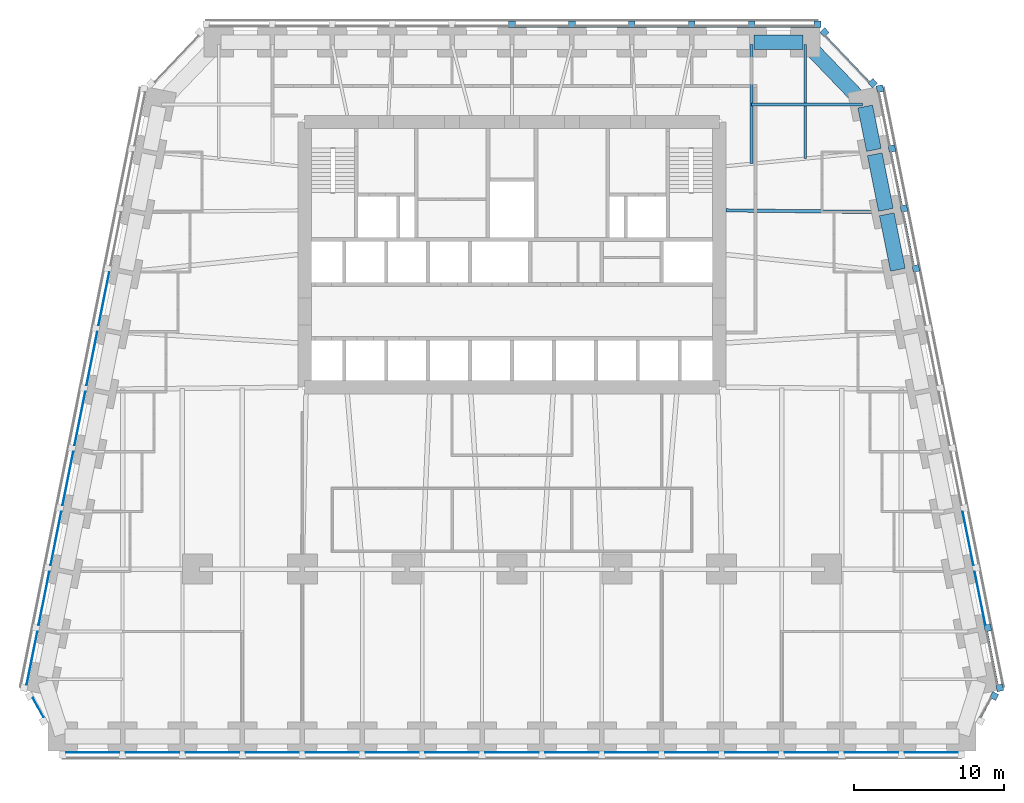
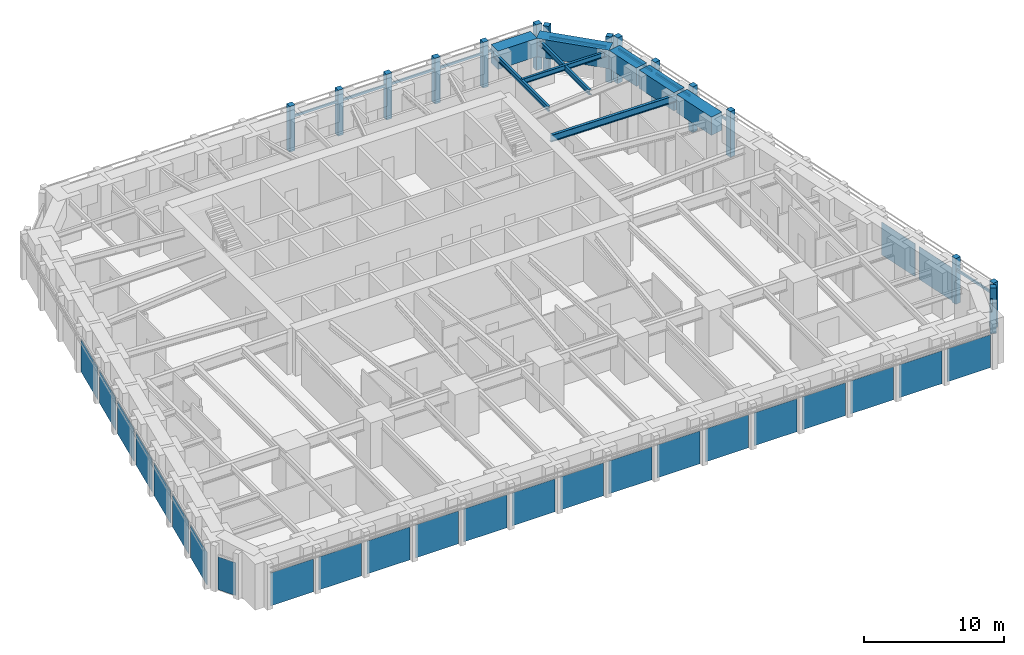
# One storey, part 4 of 10: 26 members, 25 plates, 9 beams, 7 elements without a shape of their own.
"""IFC4 building model written with IfcOpenShell, lengths in metres."""

from ifc_helpers import new_model, si_unit, direction, frame, origin, origin_2d, place, context, subcontext, project, spatial, rectangle, i_section, extrude, material, layer, layer_set, material_profile, profile_set, type_object, element, aggregate, save


model = new_model("IFC4")

# Units and contexts
model_context = context("Model", 3, precision=1e-05, world=origin(), true_north=direction((0.0, 1.0)))
body_context = subcontext(model_context, "Body", "Model", "MODEL_VIEW")
ifc_project = project(units=[si_unit("LENGTHUNIT", "METRE"), si_unit("AREAUNIT", "SQUARE_METRE"), si_unit("VOLUMEUNIT", "CUBIC_METRE"), si_unit("PLANEANGLEUNIT", "RADIAN"), si_unit("MASSUNIT", "GRAM", prefix="KILO")], contexts=[model_context])

# Site, building, storey
site_placement = place(None, origin())
site = spatial("IfcSite", under=ifc_project, at=site_placement, CompositionType="ELEMENT")
building_placement = place(site_placement, origin())
building = spatial("IfcBuilding", under=site, at=building_placement, Name="Isbrekke Arena Tower", CompositionType="ELEMENT")
storey_placement = place(building_placement, frame((0.0, 0.0, 84.0)))
storey = spatial("IfcBuildingStorey", under=building, at=storey_placement, Name="L18", CompositionType="ELEMENT", Elevation=84.0)

# Beams
ifc_material_1 = material(Name="Steel S355", Category="steel")
ifc_material_profile_1 = material_profile(ifc_material_1, i_section(OverallWidth=0.219970703125, OverallDepth=0.60009765625, WebThickness=0.011962890625, FlangeThickness=0.01904296875, FilletRadius=0.02392578125, at=origin_2d()), Name="IPE 600")
ifc_profile_set_1 = profile_set([ifc_material_profile_1], Name="Steel S355")
beam_type_1 = type_object("IfcBeamType", Name="B1 IPE 600", PredefinedType="BEAM", material=ifc_profile_set_1)
beam_1_placement = place(storey_placement, frame((24.83984375, 17.838134765625, 3.550048828125), z_axis=(-0.999943729589, 0.010608376645, 0.0), x_axis=(-0.010608376645, -0.999943729589, 0.0)))
element("IfcBeam", 1, at=beam_1_placement, inside=storey, type_object=beam_type_1, Name="B1 beam E-E09 L18", PredefinedType="BEAM", context=body_context, shape_type="SweptSolid", body=[
    extrude(i_section(OverallWidth=0.219970703125, OverallDepth=0.60009765625, WebThickness=0.011962890625, FlangeThickness=0.01904296875, FilletRadius=0.02392578125, at=origin_2d()), origin(), (0.0, 0.0, 1.0), 10.540283203125),
])
ifc_material_2 = material(Name="Steel S355", Category="steel")
ifc_material_profile_2 = material_profile(ifc_material_2, i_section(OverallWidth=0.18994140625, OverallDepth=0.449951171875, WebThickness=0.009521484375, FlangeThickness=0.0146484375, FilletRadius=0.02099609375, at=origin_2d()), Name="IPE 450")
ifc_profile_set_2 = profile_set([ifc_material_profile_2], Name="Steel S355")
beam_type_2 = type_object("IfcBeamType", Name="B2 IPE 450", PredefinedType="BEAM", material=ifc_profile_set_2)
beam_2_placement = place(storey_placement, frame((23.40283203125, 25.029296875, 3.625), z_axis=(-1.0, 0.0, 0.0), x_axis=(0.0, -1.0, 0.0)))
element("IfcBeam", 2, at=beam_2_placement, inside=storey, type_object=beam_type_2, Name="B2 beam E-E11 L18", PredefinedType="BEAM", context=body_context, shape_type="SweptSolid", body=[
    extrude(i_section(OverallWidth=0.18994140625, OverallDepth=0.449951171875, WebThickness=0.009521484375, FlangeThickness=0.0146484375, FilletRadius=0.02099609375, at=origin_2d()), origin(), (0.0, 0.0, 1.0), 7.40283203125),
])
ifc_material_3 = material(Name="Steel S355", Category="steel")
ifc_material_profile_3 = material_profile(ifc_material_3, i_section(OverallWidth=0.18994140625, OverallDepth=0.449951171875, WebThickness=0.009521484375, FlangeThickness=0.0146484375, FilletRadius=0.02099609375, at=origin_2d()), Name="IPE 450")
ifc_profile_set_3 = profile_set([ifc_material_profile_3], Name="Steel S355")
beam_type_3 = type_object("IfcBeamType", Name="B3 IPE 450", PredefinedType="BEAM", material=ifc_profile_set_3)
beam_3_placement = place(storey_placement, frame((19.574951171875, 29.02490234375, 3.625), z_axis=(0.0, -1.0, 0.0), x_axis=(1.0, 0.0, 0.0)))
element("IfcBeam", 3, at=beam_3_placement, inside=storey, type_object=beam_type_3, Name="B3 beam N-N01 L18", PredefinedType="BEAM", context=body_context, shape_type="SweptSolid", body=[
    extrude(i_section(OverallWidth=0.18994140625, OverallDepth=0.449951171875, WebThickness=0.009521484375, FlangeThickness=0.0146484375, FilletRadius=0.02099609375, at=origin_2d()), origin(), (0.0, 0.0, 1.0), 7.616943359375),
])
beam_4_placement = place(storey_placement, frame((16.0, 29.02490234375, 3.625), z_axis=(0.0, -1.0, 0.0), x_axis=(1.0, 0.0, 0.0)))
element("IfcBeam", 4, at=beam_4_placement, inside=storey, type_object=beam_type_3, Name="B3 beam N-N02 L18", PredefinedType="BEAM", context=body_context, shape_type="SweptSolid", body=[
    extrude(i_section(OverallWidth=0.18994140625, OverallDepth=0.449951171875, WebThickness=0.009521484375, FlangeThickness=0.0146484375, FilletRadius=0.02099609375, at=origin_2d()), origin(), (0.0, 0.0, 1.0), 7.961181640625),
])

# Curtain wall, member
ifc_material_4 = material(Name="Glazed aluminium curtain wall", Category="aluminium")
curtain_wall_type = type_object("IfcCurtainWallType", Name="CWL TOWER CURTAIN WALL LOW ZONE", PredefinedType="USERDEFINED", material=ifc_material_4)
curtain_wall_1_placement = place(storey_placement, origin())
curtain_wall_1 = element("IfcCurtainWall", 5, at=curtain_wall_1_placement, inside=storey, type_object=curtain_wall_type, Name="CWL curtain wall L18-SE", ObjectType="TOWER CURTAIN WALL LOW ZONE", PredefinedType="USERDEFINED")
ifc_material_5 = material(Name="Aluminium mullion, pale brick slip cladding", Category="masonry")
ifc_material_profile_4 = material_profile(ifc_material_5, rectangle(XDim=0.449951171875, YDim=0.449951171875, at=origin_2d()), Name="PIER 450X450")
ifc_profile_set_4 = profile_set([ifc_material_profile_4], Name="Aluminium mullion, pale brick slip cladding")
member_type_1 = type_object("IfcMemberType", Name="CWL-M PIER MULLION 450 x 450", PredefinedType="MULLION", material=ifc_profile_set_4)
member_1_placement = place(storey_placement, frame((32.195556640625, -14.47509765625, 0.0), z_axis=(0.0, 0.0, 1.0), x_axis=(0.481918749773, 0.876215908676, 0.0)))
member_1 = element("IfcMember", 6, at=member_1_placement, type_object=member_type_1, Name="CWL-M mullion 2", PredefinedType="MULLION", context=body_context, shape_type="SweptSolid", body=[
    extrude(rectangle(XDim=0.449951171875, YDim=0.449951171875, at=origin_2d()), origin(), (0.0, 0.0, 1.0), 4.0),
])

# Curtain wall, members
curtain_wall_2_placement = place(storey_placement, origin())
curtain_wall_2 = element("IfcCurtainWall", 7, at=curtain_wall_2_placement, inside=storey, type_object=curtain_wall_type, Name="CWL curtain wall L18-E", ObjectType="TOWER CURTAIN WALL LOW ZONE", PredefinedType="USERDEFINED")
member_2_placement = place(storey_placement, frame((32.567626953125, -13.926513671875, 0.0), z_axis=(0.0, 0.0, 1.0), x_axis=(-0.196116135138, 0.980580675691, 0.0)))
member_2 = element("IfcMember", 8, at=member_2_placement, type_object=member_type_1, Name="CWL-M mullion 1", PredefinedType="MULLION", context=body_context, shape_type="SweptSolid", body=[
    extrude(rectangle(XDim=0.449951171875, YDim=0.449951171875, at=origin_2d()), origin(), (0.0, 0.0, 1.0), 4.0),
])
member_3_placement = place(storey_placement, frame((31.767822265625, -9.926513671875, 0.0), z_axis=(0.0, 0.0, 1.0), x_axis=(-0.196116135138, 0.980580675691, 0.0)))
member_3 = element("IfcMember", 9, at=member_3_placement, type_object=member_type_1, Name="CWL-M mullion 2", PredefinedType="MULLION", context=body_context, shape_type="SweptSolid", body=[
    extrude(rectangle(XDim=0.449951171875, YDim=0.449951171875, at=origin_2d()), origin(), (0.0, 0.0, 1.0), 4.0),
])
member_4_placement = place(storey_placement, frame((26.9677734375, 14.073486328125, 0.0), z_axis=(0.0, 0.0, 1.0), x_axis=(-0.196116135138, 0.980580675691, 0.0)))
member_4 = element("IfcMember", 10, at=member_4_placement, type_object=member_type_1, Name="CWL-M mullion 8", PredefinedType="MULLION", context=body_context, shape_type="SweptSolid", body=[
    extrude(rectangle(XDim=0.449951171875, YDim=0.449951171875, at=origin_2d()), origin(), (0.0, 0.0, 1.0), 4.0),
])
member_5_placement = place(storey_placement, frame((26.167724609375, 18.073486328125, 0.0), z_axis=(0.0, 0.0, 1.0), x_axis=(-0.196116135138, 0.980580675691, 0.0)))
member_5 = element("IfcMember", 11, at=member_5_placement, type_object=member_type_1, Name="CWL-M mullion 9", PredefinedType="MULLION", context=body_context, shape_type="SweptSolid", body=[
    extrude(rectangle(XDim=0.449951171875, YDim=0.449951171875, at=origin_2d()), origin(), (0.0, 0.0, 1.0), 4.0),
])
member_6_placement = place(storey_placement, frame((25.36767578125, 22.073486328125, 0.0), z_axis=(0.0, 0.0, 1.0), x_axis=(-0.196116135138, 0.980580675691, 0.0)))
member_6 = element("IfcMember", 12, at=member_6_placement, type_object=member_type_1, Name="CWL-M mullion 10", PredefinedType="MULLION", context=body_context, shape_type="SweptSolid", body=[
    extrude(rectangle(XDim=0.449951171875, YDim=0.449951171875, at=origin_2d()), origin(), (0.0, 0.0, 1.0), 4.0),
])
member_7_placement = place(storey_placement, frame((24.567626953125, 26.073486328125, 0.0), z_axis=(0.0, 0.0, 1.0), x_axis=(-0.196116135138, 0.980580675691, 0.0)))
member_7 = element("IfcMember", 13, at=member_7_placement, type_object=member_type_1, Name="CWL-M mullion 11", PredefinedType="MULLION", context=body_context, shape_type="SweptSolid", body=[
    extrude(rectangle(XDim=0.449951171875, YDim=0.449951171875, at=origin_2d()), origin(), (0.0, 0.0, 1.0), 4.0),
])

curtain_wall_3_placement = place(storey_placement, origin())
curtain_wall_3 = element("IfcCurtainWall", 14, at=curtain_wall_3_placement, inside=storey, type_object=curtain_wall_type, Name="CWL curtain wall L18-EN", ObjectType="TOWER CURTAIN WALL LOW ZONE", PredefinedType="USERDEFINED")
member_8_placement = place(storey_placement, frame((24.08837890625, 26.444091796875, 0.0), z_axis=(0.0, 0.0, 1.0), x_axis=(-0.68874946192, 0.72499943359, 0.0)))
member_8 = element("IfcMember", 15, at=member_8_placement, type_object=member_type_1, Name="CWL-M mullion 1", PredefinedType="MULLION", context=body_context, shape_type="SweptSolid", body=[
    extrude(rectangle(XDim=0.449951171875, YDim=0.449951171875, at=origin_2d()), origin(), (0.0, 0.0, 1.0), 4.0),
])
member_9_placement = place(storey_placement, frame((20.86572265625, 29.83642578125, 0.0), z_axis=(0.0, 0.0, 1.0), x_axis=(-0.68874946192, 0.72499943359, 0.0)))
member_9 = element("IfcMember", 16, at=member_9_placement, type_object=member_type_1, Name="CWL-M mullion 2", PredefinedType="MULLION", context=body_context, shape_type="SweptSolid", body=[
    extrude(rectangle(XDim=0.449951171875, YDim=0.449951171875, at=origin_2d()), origin(), (0.0, 0.0, 1.0), 4.0),
])

curtain_wall_4_placement = place(storey_placement, origin())
curtain_wall_4 = element("IfcCurtainWall", 17, at=curtain_wall_4_placement, inside=storey, type_object=curtain_wall_type, Name="CWL curtain wall L18-N", ObjectType="TOWER CURTAIN WALL LOW ZONE", PredefinedType="USERDEFINED")
member_10_placement = place(storey_placement, frame((20.39990234375, 30.375, 0.0), z_axis=(0.0, 0.0, 1.0), x_axis=(-1.0, 0.0, 0.0)))
member_10 = element("IfcMember", 18, at=member_10_placement, type_object=member_type_1, Name="CWL-M mullion 1", PredefinedType="MULLION", context=body_context, shape_type="SweptSolid", body=[
    extrude(rectangle(XDim=0.449951171875, YDim=0.449951171875, at=origin_2d()), origin(), (0.0, 0.0, 1.0), 4.0),
])
member_11_placement = place(storey_placement, frame((16.0, 30.375, 0.0), z_axis=(0.0, 0.0, 1.0), x_axis=(-1.0, 0.0, 0.0)))
member_11 = element("IfcMember", 19, at=member_11_placement, type_object=member_type_1, Name="CWL-M mullion 2", PredefinedType="MULLION", context=body_context, shape_type="SweptSolid", body=[
    extrude(rectangle(XDim=0.449951171875, YDim=0.449951171875, at=origin_2d()), origin(), (0.0, 0.0, 1.0), 4.0),
])
member_12_placement = place(storey_placement, frame((12.0, 30.375, 0.0), z_axis=(0.0, 0.0, 1.0), x_axis=(-1.0, 0.0, 0.0)))
member_12 = element("IfcMember", 20, at=member_12_placement, type_object=member_type_1, Name="CWL-M mullion 3", PredefinedType="MULLION", context=body_context, shape_type="SweptSolid", body=[
    extrude(rectangle(XDim=0.449951171875, YDim=0.449951171875, at=origin_2d()), origin(), (0.0, 0.0, 1.0), 4.0),
])
member_13_placement = place(storey_placement, frame((8.0, 30.375, 0.0), z_axis=(0.0, 0.0, 1.0), x_axis=(-1.0, 0.0, 0.0)))
member_13 = element("IfcMember", 21, at=member_13_placement, type_object=member_type_1, Name="CWL-M mullion 4", PredefinedType="MULLION", context=body_context, shape_type="SweptSolid", body=[
    extrude(rectangle(XDim=0.449951171875, YDim=0.449951171875, at=origin_2d()), origin(), (0.0, 0.0, 1.0), 4.0),
])
member_14_placement = place(storey_placement, frame((4.0, 30.375, 0.0), z_axis=(0.0, 0.0, 1.0), x_axis=(-1.0, 0.0, 0.0)))
member_14 = element("IfcMember", 22, at=member_14_placement, type_object=member_type_1, Name="CWL-M mullion 5", PredefinedType="MULLION", context=body_context, shape_type="SweptSolid", body=[
    extrude(rectangle(XDim=0.449951171875, YDim=0.449951171875, at=origin_2d()), origin(), (0.0, 0.0, 1.0), 4.0),
])
member_15_placement = place(storey_placement, frame((0.0, 30.375, 0.0), z_axis=(0.0, 0.0, 1.0), x_axis=(-1.0, 0.0, 0.0)))
member_15 = element("IfcMember", 23, at=member_15_placement, type_object=member_type_1, Name="CWL-M mullion 6", PredefinedType="MULLION", context=body_context, shape_type="SweptSolid", body=[
    extrude(rectangle(XDim=0.449951171875, YDim=0.449951171875, at=origin_2d()), origin(), (0.0, 0.0, 1.0), 4.0),
])

# Member
ifc_material_6 = material(Name="Aluminium transom", Category="aluminium")
ifc_material_profile_5 = material_profile(ifc_material_6, rectangle(XDim=0.1201171875, YDim=0.199951171875, at=origin_2d()), Name="TRANSOM 120X200")
ifc_profile_set_5 = profile_set([ifc_material_profile_5], Name="Aluminium transom")
member_type_2 = type_object("IfcMemberType", Name="CWL-T TRANSOM 120 x 200", PredefinedType="USERDEFINED", material=ifc_profile_set_5)
member_16_placement = place(storey_placement, frame((31.277099609375, -15.88525390625, 3.0), z_axis=(0.481944543569, 0.876201721594, 0.0), x_axis=(-0.876201721594, 0.481944543569, 0.0)))
member_16 = element("IfcMember", 24, at=member_16_placement, type_object=member_type_2, Name="CWL-T transom 1", ObjectType="TRANSOM", PredefinedType="USERDEFINED", context=body_context, shape_type="SweptSolid", body=[
    extrude(rectangle(XDim=0.1201171875, YDim=0.199951171875, at=origin_2d()), origin(), (0.0, 0.0, 1.0), 1.453369140625),
])

aggregate(curtain_wall_1, [member_1, member_16])

member_17_placement = place(storey_placement, frame((32.401123046875, -13.730224609375, 3.0), z_axis=(-0.196167883278, 0.980570324643, 0.0), x_axis=(-0.980570324643, -0.196167883278, 0.0)))
member_17 = element("IfcMember", 25, at=member_17_placement, type_object=member_type_2, Name="CWL-T transom 1", ObjectType="TRANSOM", PredefinedType="USERDEFINED", context=body_context, shape_type="SweptSolid", body=[
    extrude(rectangle(XDim=0.1201171875, YDim=0.199951171875, at=origin_2d()), origin(), (0.0, 0.0, 1.0), 3.629150390625),
])

member_18_placement = place(storey_placement, frame((26.801025390625, 14.269775390625, 3.0), z_axis=(-0.196103197847, 0.98058326306, 0.0), x_axis=(-0.98058326306, -0.196103197847, 0.0)))
member_18 = element("IfcMember", 26, at=member_18_placement, type_object=member_type_2, Name="CWL-T transom 8", ObjectType="TRANSOM", PredefinedType="USERDEFINED", context=body_context, shape_type="SweptSolid", body=[
    extrude(rectangle(XDim=0.1201171875, YDim=0.199951171875, at=origin_2d()), origin(), (0.0, 0.0, 1.0), 3.629150390625),
])

member_19_placement = place(storey_placement, frame((26.0009765625, 18.269775390625, 3.0), z_axis=(-0.196103197847, 0.98058326306, 0.0), x_axis=(-0.98058326306, -0.196103197847, 0.0)))
member_19 = element("IfcMember", 27, at=member_19_placement, type_object=member_type_2, Name="CWL-T transom 9", ObjectType="TRANSOM", PredefinedType="USERDEFINED", context=body_context, shape_type="SweptSolid", body=[
    extrude(rectangle(XDim=0.1201171875, YDim=0.199951171875, at=origin_2d()), origin(), (0.0, 0.0, 1.0), 3.629150390625),
])

member_20_placement = place(storey_placement, frame((25.200927734375, 22.269775390625, 3.0), z_axis=(-0.196103197847, 0.98058326306, 0.0), x_axis=(-0.98058326306, -0.196103197847, 0.0)))
member_20 = element("IfcMember", 28, at=member_20_placement, type_object=member_type_2, Name="CWL-T transom 10", ObjectType="TRANSOM", PredefinedType="USERDEFINED", context=body_context, shape_type="SweptSolid", body=[
    extrude(rectangle(XDim=0.1201171875, YDim=0.199951171875, at=origin_2d()), origin(), (0.0, 0.0, 1.0), 3.629150390625),
])

member_21_placement = place(storey_placement, frame((23.8427734375, 26.521240234375, 3.0), z_axis=(-0.688776771287, 0.724973488712, 0.0), x_axis=(-0.724973488712, -0.688776771287, 0.0)))
member_21 = element("IfcMember", 29, at=member_21_placement, type_object=member_type_2, Name="CWL-T transom 1", ObjectType="TRANSOM", PredefinedType="USERDEFINED", context=body_context, shape_type="SweptSolid", body=[
    extrude(rectangle(XDim=0.1201171875, YDim=0.199951171875, at=origin_2d()), origin(), (0.0, 0.0, 1.0), 4.22900390625),
])

aggregate(curtain_wall_3, [member_8, member_9, member_21])

member_22_placement = place(storey_placement, frame((20.175048828125, 30.25, 3.0), z_axis=(-1.0, 0.0, 0.0), x_axis=(0.0, -1.0, 0.0)))
member_22 = element("IfcMember", 30, at=member_22_placement, type_object=member_type_2, Name="CWL-T transom 1", ObjectType="TRANSOM", PredefinedType="USERDEFINED", context=body_context, shape_type="SweptSolid", body=[
    extrude(rectangle(XDim=0.1201171875, YDim=0.199951171875, at=origin_2d()), origin(), (0.0, 0.0, 1.0), 3.949951171875),
])

member_23_placement = place(storey_placement, frame((15.77490234375, 30.25, 3.0), z_axis=(-1.0, 0.0, 0.0), x_axis=(0.0, -1.0, 0.0)))
member_23 = element("IfcMember", 31, at=member_23_placement, type_object=member_type_2, Name="CWL-T transom 2", ObjectType="TRANSOM", PredefinedType="USERDEFINED", context=body_context, shape_type="SweptSolid", body=[
    extrude(rectangle(XDim=0.1201171875, YDim=0.199951171875, at=origin_2d()), origin(), (0.0, 0.0, 1.0), 3.5498046875),
])

member_24_placement = place(storey_placement, frame((11.77490234375, 30.25, 3.0), z_axis=(-1.0, 0.0, 0.0), x_axis=(0.0, -1.0, 0.0)))
member_24 = element("IfcMember", 32, at=member_24_placement, type_object=member_type_2, Name="CWL-T transom 3", ObjectType="TRANSOM", PredefinedType="USERDEFINED", context=body_context, shape_type="SweptSolid", body=[
    extrude(rectangle(XDim=0.1201171875, YDim=0.199951171875, at=origin_2d()), origin(), (0.0, 0.0, 1.0), 3.5498046875),
])

member_25_placement = place(storey_placement, frame((7.77490234375, 30.25, 3.0), z_axis=(-1.0, 0.0, 0.0), x_axis=(0.0, -1.0, 0.0)))
member_25 = element("IfcMember", 33, at=member_25_placement, type_object=member_type_2, Name="CWL-T transom 4", ObjectType="TRANSOM", PredefinedType="USERDEFINED", context=body_context, shape_type="SweptSolid", body=[
    extrude(rectangle(XDim=0.1201171875, YDim=0.199951171875, at=origin_2d()), origin(), (0.0, 0.0, 1.0), 3.5498046875),
])

member_26_placement = place(storey_placement, frame((3.77490234375, 30.25, 3.0), z_axis=(-1.0, 0.0, 0.0), x_axis=(0.0, -1.0, 0.0)))
member_26 = element("IfcMember", 34, at=member_26_placement, type_object=member_type_2, Name="CWL-T transom 5", ObjectType="TRANSOM", PredefinedType="USERDEFINED", context=body_context, shape_type="SweptSolid", body=[
    extrude(rectangle(XDim=0.1201171875, YDim=0.199951171875, at=origin_2d()), origin(), (0.0, 0.0, 1.0), 3.5498046875),
])

aggregate(curtain_wall_4, [member_10, member_11, member_12, member_13, member_14, member_15, member_22, member_23, member_24, member_25, member_26])

# Beams
ifc_material_7 = material(Name="Concrete B90 (C90/105)", Category="concrete")
ifc_material_profile_6 = material_profile(ifc_material_7, rectangle(XDim=1.0, YDim=1.60009765625, at=origin_2d()), Name="RC 1000x1600")
ifc_profile_set_6 = profile_set([ifc_material_profile_6], Name="Concrete B90 (C90/105)")
beam_type_4 = type_object("IfcBeamType", Name="SB1 RC 1000 x 1600", PredefinedType="SPANDREL", material=ifc_profile_set_6)
for number, where, z_axis, x_axis, name in (
    (35, (25.76171875, 13.9853515625, 3.199951171875), (-0.196128558387, 0.980578190959, 0.0), (-0.980578190959, -0.196128558387, 0.0), "SB1 spandrel E08-E09 L18"),
    (36, (24.961669921875, 17.9853515625, 3.199951171875), (-0.196128558387, 0.980578190959, 0.0), (-0.980578190959, -0.196128558387, 0.0), "SB1 spandrel E09-E10 L18"),
):
    element("IfcBeam", number, at=place(storey_placement, frame(where, z_axis=z_axis, x_axis=x_axis)), inside=storey, type_object=beam_type_4, Name=name, PredefinedType="SPANDREL", context=body_context, shape_type="SweptSolid", body=[
        extrude(rectangle(XDim=1.0, YDim=1.60009765625, at=origin_2d()), origin(), (0.0, 0.0, 1.0), 3.779296875),
    ])
beam_5_placement = place(storey_placement, frame((24.16162109375, 21.9853515625, 3.199951171875), z_axis=(-0.196116135138, 0.980580675691, 0.0), x_axis=(-0.980580675691, -0.196116135138, 0.0)))
element("IfcBeam", 37, at=beam_5_placement, inside=storey, type_object=beam_type_4, Name="SB1 spandrel E10-E11 L18", PredefinedType="SPANDREL", context=body_context, shape_type="SweptSolid", body=[
    extrude(rectangle(XDim=1.0, YDim=1.60009765625, at=origin_2d()), origin(), (0.0, 0.0, 1.0), 2.9541015625),
])
beam_6_placement = place(storey_placement, frame((23.448974609375, 25.137451171875, 3.199951171875), z_axis=(-0.692339547635, 0.721571861134, 0.0), x_axis=(-0.721571861134, -0.692339547635, 0.0)))
element("IfcBeam", 38, at=beam_6_placement, inside=storey, type_object=beam_type_4, Name="SB1 spandrel E11-N01 L18", PredefinedType="SPANDREL", context=body_context, shape_type="SweptSolid", body=[
    extrude(rectangle(XDim=1.0, YDim=1.60009765625, at=origin_2d()), origin(), (0.0, 0.0, 1.0), 5.4453125),
])
beam_7_placement = place(storey_placement, frame((19.425048828125, 29.175048828125, 3.199951171875), z_axis=(-1.0, 0.0, 0.0), x_axis=(0.0, -1.0, 0.0)))
element("IfcBeam", 39, at=beam_7_placement, inside=storey, type_object=beam_type_4, Name="SB1 spandrel N01-N02 L18", PredefinedType="SPANDREL", context=body_context, shape_type="SweptSolid", body=[
    extrude(rectangle(XDim=1.0, YDim=1.60009765625, at=origin_2d()), origin(), (0.0, 0.0, 1.0), 3.275146484375),
])

# Curtain wall, plates
curtain_wall_5_placement = place(storey_placement, origin())
curtain_wall_5 = element("IfcCurtainWall", 40, at=curtain_wall_5_placement, inside=storey, type_object=curtain_wall_type, Name="CWL curtain wall L18-S", ObjectType="TOWER CURTAIN WALL LOW ZONE", PredefinedType="USERDEFINED")
ifc_material_8 = material(Name="Triple-glazed clear glass unit", Category="glass")
ifc_layer = layer(ifc_material_8, 0.031982421875)
ifc_layer_set = layer_set([ifc_layer], Name="CWL-P VISION PANEL")
plate_type = type_object("IfcPlateType", Name="CWL-P VISION PANEL", PredefinedType="CURTAIN_PANEL", material=ifc_layer_set)
plate_1_placement = place(storey_placement, frame((-28.0, -18.25, 0.02001953125), z_axis=(0.0, 0.0, 1.0), x_axis=(1.0, 0.0, 0.0)))
plate_1 = element("IfcPlate", 41, at=plate_1_placement, type_object=plate_type, Name="CWL-P panel 1", PredefinedType="CURTAIN_PANEL", context=body_context, shape_type="SweptSolid", body=[
    extrude(rectangle(XDim=3.550048828125, YDim=0.031982421875, at=origin_2d()), origin(), (0.0, 0.0, 1.0), 2.8798828125),
])
plate_2_placement = place(storey_placement, frame((-24.0, -18.25, 0.02001953125), z_axis=(0.0, 0.0, 1.0), x_axis=(1.0, 0.0, 0.0)))
plate_2 = element("IfcPlate", 42, at=plate_2_placement, type_object=plate_type, Name="CWL-P panel 2", PredefinedType="CURTAIN_PANEL", context=body_context, shape_type="SweptSolid", body=[
    extrude(rectangle(XDim=3.550048828125, YDim=0.031982421875, at=origin_2d()), origin(), (0.0, 0.0, 1.0), 2.8798828125),
])
plate_3_placement = place(storey_placement, frame((-20.0, -18.25, 0.02001953125), z_axis=(0.0, 0.0, 1.0), x_axis=(1.0, 0.0, 0.0)))
plate_3 = element("IfcPlate", 43, at=plate_3_placement, type_object=plate_type, Name="CWL-P panel 3", PredefinedType="CURTAIN_PANEL", context=body_context, shape_type="SweptSolid", body=[
    extrude(rectangle(XDim=3.550048828125, YDim=0.031982421875, at=origin_2d()), origin(), (0.0, 0.0, 1.0), 2.8798828125),
])
plate_4_placement = place(storey_placement, frame((-16.0, -18.25, 0.02001953125), z_axis=(0.0, 0.0, 1.0), x_axis=(1.0, 0.0, 0.0)))
plate_4 = element("IfcPlate", 44, at=plate_4_placement, type_object=plate_type, Name="CWL-P panel 4", PredefinedType="CURTAIN_PANEL", context=body_context, shape_type="SweptSolid", body=[
    extrude(rectangle(XDim=3.550048828125, YDim=0.031982421875, at=origin_2d()), origin(), (0.0, 0.0, 1.0), 2.8798828125),
])
plate_5_placement = place(storey_placement, frame((-12.0, -18.25, 0.02001953125), z_axis=(0.0, 0.0, 1.0), x_axis=(1.0, 0.0, 0.0)))
plate_5 = element("IfcPlate", 45, at=plate_5_placement, type_object=plate_type, Name="CWL-P panel 5", PredefinedType="CURTAIN_PANEL", context=body_context, shape_type="SweptSolid", body=[
    extrude(rectangle(XDim=3.550048828125, YDim=0.031982421875, at=origin_2d()), origin(), (0.0, 0.0, 1.0), 2.8798828125),
])
plate_6_placement = place(storey_placement, frame((-8.0, -18.25, 0.02001953125), z_axis=(0.0, 0.0, 1.0), x_axis=(1.0, 0.0, 0.0)))
plate_6 = element("IfcPlate", 46, at=plate_6_placement, type_object=plate_type, Name="CWL-P panel 6", PredefinedType="CURTAIN_PANEL", context=body_context, shape_type="SweptSolid", body=[
    extrude(rectangle(XDim=3.550048828125, YDim=0.031982421875, at=origin_2d()), origin(), (0.0, 0.0, 1.0), 2.8798828125),
])
plate_7_placement = place(storey_placement, frame((-4.0, -18.25, 0.02001953125), z_axis=(0.0, 0.0, 1.0), x_axis=(1.0, 0.0, 0.0)))
plate_7 = element("IfcPlate", 47, at=plate_7_placement, type_object=plate_type, Name="CWL-P panel 7", PredefinedType="CURTAIN_PANEL", context=body_context, shape_type="SweptSolid", body=[
    extrude(rectangle(XDim=3.550048828125, YDim=0.031982421875, at=origin_2d()), origin(), (0.0, 0.0, 1.0), 2.8798828125),
])
plate_8_placement = place(storey_placement, frame((0.0, -18.25, 0.02001953125), z_axis=(0.0, 0.0, 1.0), x_axis=(1.0, 0.0, 0.0)))
plate_8 = element("IfcPlate", 48, at=plate_8_placement, type_object=plate_type, Name="CWL-P panel 8", PredefinedType="CURTAIN_PANEL", context=body_context, shape_type="SweptSolid", body=[
    extrude(rectangle(XDim=3.550048828125, YDim=0.031982421875, at=origin_2d()), origin(), (0.0, 0.0, 1.0), 2.8798828125),
])
plate_9_placement = place(storey_placement, frame((4.0, -18.25, 0.02001953125), z_axis=(0.0, 0.0, 1.0), x_axis=(1.0, 0.0, 0.0)))
plate_9 = element("IfcPlate", 49, at=plate_9_placement, type_object=plate_type, Name="CWL-P panel 9", PredefinedType="CURTAIN_PANEL", context=body_context, shape_type="SweptSolid", body=[
    extrude(rectangle(XDim=3.550048828125, YDim=0.031982421875, at=origin_2d()), origin(), (0.0, 0.0, 1.0), 2.8798828125),
])
plate_10_placement = place(storey_placement, frame((8.0, -18.25, 0.02001953125), z_axis=(0.0, 0.0, 1.0), x_axis=(1.0, 0.0, 0.0)))
plate_10 = element("IfcPlate", 50, at=plate_10_placement, type_object=plate_type, Name="CWL-P panel 10", PredefinedType="CURTAIN_PANEL", context=body_context, shape_type="SweptSolid", body=[
    extrude(rectangle(XDim=3.550048828125, YDim=0.031982421875, at=origin_2d()), origin(), (0.0, 0.0, 1.0), 2.8798828125),
])
plate_11_placement = place(storey_placement, frame((12.0, -18.25, 0.02001953125), z_axis=(0.0, 0.0, 1.0), x_axis=(1.0, 0.0, 0.0)))
plate_11 = element("IfcPlate", 51, at=plate_11_placement, type_object=plate_type, Name="CWL-P panel 11", PredefinedType="CURTAIN_PANEL", context=body_context, shape_type="SweptSolid", body=[
    extrude(rectangle(XDim=3.550048828125, YDim=0.031982421875, at=origin_2d()), origin(), (0.0, 0.0, 1.0), 2.8798828125),
])
plate_12_placement = place(storey_placement, frame((16.0, -18.25, 0.02001953125), z_axis=(0.0, 0.0, 1.0), x_axis=(1.0, 0.0, 0.0)))
plate_12 = element("IfcPlate", 52, at=plate_12_placement, type_object=plate_type, Name="CWL-P panel 12", PredefinedType="CURTAIN_PANEL", context=body_context, shape_type="SweptSolid", body=[
    extrude(rectangle(XDim=3.550048828125, YDim=0.031982421875, at=origin_2d()), origin(), (0.0, 0.0, 1.0), 2.8798828125),
])
plate_13_placement = place(storey_placement, frame((20.0, -18.25, 0.02001953125), z_axis=(0.0, 0.0, 1.0), x_axis=(1.0, 0.0, 0.0)))
plate_13 = element("IfcPlate", 53, at=plate_13_placement, type_object=plate_type, Name="CWL-P panel 13", PredefinedType="CURTAIN_PANEL", context=body_context, shape_type="SweptSolid", body=[
    extrude(rectangle(XDim=3.550048828125, YDim=0.031982421875, at=origin_2d()), origin(), (0.0, 0.0, 1.0), 2.8798828125),
])
plate_14_placement = place(storey_placement, frame((24.0, -18.25, 0.02001953125), z_axis=(0.0, 0.0, 1.0), x_axis=(1.0, 0.0, 0.0)))
plate_14 = element("IfcPlate", 54, at=plate_14_placement, type_object=plate_type, Name="CWL-P panel 14", PredefinedType="CURTAIN_PANEL", context=body_context, shape_type="SweptSolid", body=[
    extrude(rectangle(XDim=3.550048828125, YDim=0.031982421875, at=origin_2d()), origin(), (0.0, 0.0, 1.0), 2.8798828125),
])
plate_15_placement = place(storey_placement, frame((28.0, -18.25, 0.02001953125), z_axis=(0.0, 0.0, 1.0), x_axis=(1.0, 0.0, 0.0)))
plate_15 = element("IfcPlate", 55, at=plate_15_placement, type_object=plate_type, Name="CWL-P panel 15", PredefinedType="CURTAIN_PANEL", context=body_context, shape_type="SweptSolid", body=[
    extrude(rectangle(XDim=3.550048828125, YDim=0.031982421875, at=origin_2d()), origin(), (0.0, 0.0, 1.0), 2.8798828125),
])
aggregate(curtain_wall_5, [plate_1, plate_2, plate_3, plate_4, plate_5, plate_6, plate_7, plate_8, plate_9, plate_10, plate_11, plate_12, plate_13, plate_14, plate_15])

# Plate
plate_16_placement = place(storey_placement, frame((31.2451171875, -7.950927734375, 0.02001953125), z_axis=(0.0, 0.0, 1.0), x_axis=(-0.196116135138, 0.980580675691, 0.0)))
plate_16 = element("IfcPlate", 56, at=plate_16_placement, type_object=plate_type, Name="CWL-P panel 2", PredefinedType="CURTAIN_PANEL", context=body_context, shape_type="SweptSolid", body=[
    extrude(rectangle(XDim=3.629150390625, YDim=0.031982421875, at=origin_2d()), origin(), (0.0, 0.0, 1.0), 2.8798828125),
])

plate_17_placement = place(storey_placement, frame((30.445068359375, -3.950927734375, 0.02001953125), z_axis=(0.0, 0.0, 1.0), x_axis=(-0.196116135138, 0.980580675691, 0.0)))
plate_17 = element("IfcPlate", 57, at=plate_17_placement, type_object=plate_type, Name="CWL-P panel 3", PredefinedType="CURTAIN_PANEL", context=body_context, shape_type="SweptSolid", body=[
    extrude(rectangle(XDim=3.629150390625, YDim=0.031982421875, at=origin_2d()), origin(), (0.0, 0.0, 1.0), 2.8798828125),
])

aggregate(curtain_wall_2, [member_2, member_3, member_4, member_5, member_6, member_7, member_17, plate_16, plate_17, member_18, member_19, member_20])

# Curtain wall, plates
curtain_wall_6_placement = place(storey_placement, origin())
curtain_wall_6 = element("IfcCurtainWall", 58, at=curtain_wall_6_placement, inside=storey, type_object=curtain_wall_type, Name="CWL curtain wall L18-W", ObjectType="TOWER CURTAIN WALL LOW ZONE", PredefinedType="USERDEFINED")
plate_18_placement = place(storey_placement, frame((-27.2451171875, 12.049072265625, 0.02001953125), z_axis=(0.0, 0.0, 1.0), x_axis=(-0.196116135138, -0.980580675691, 0.0)))
plate_18 = element("IfcPlate", 59, at=plate_18_placement, type_object=plate_type, Name="CWL-P panel 4", PredefinedType="CURTAIN_PANEL", context=body_context, shape_type="SweptSolid", body=[
    extrude(rectangle(XDim=3.629150390625, YDim=0.031982421875, at=origin_2d()), origin(), (0.0, 0.0, 1.0), 2.8798828125),
])
plate_19_placement = place(storey_placement, frame((-28.045166015625, 8.049072265625, 0.02001953125), z_axis=(0.0, 0.0, 1.0), x_axis=(-0.196116135138, -0.980580675691, 0.0)))
plate_19 = element("IfcPlate", 60, at=plate_19_placement, type_object=plate_type, Name="CWL-P panel 5", PredefinedType="CURTAIN_PANEL", context=body_context, shape_type="SweptSolid", body=[
    extrude(rectangle(XDim=3.629150390625, YDim=0.031982421875, at=origin_2d()), origin(), (0.0, 0.0, 1.0), 2.8798828125),
])
plate_20_placement = place(storey_placement, frame((-28.84521484375, 4.049072265625, 0.02001953125), z_axis=(0.0, 0.0, 1.0), x_axis=(-0.196116135138, -0.980580675691, 0.0)))
plate_20 = element("IfcPlate", 61, at=plate_20_placement, type_object=plate_type, Name="CWL-P panel 6", PredefinedType="CURTAIN_PANEL", context=body_context, shape_type="SweptSolid", body=[
    extrude(rectangle(XDim=3.629150390625, YDim=0.031982421875, at=origin_2d()), origin(), (0.0, 0.0, 1.0), 2.8798828125),
])
plate_21_placement = place(storey_placement, frame((-29.645263671875, 0.049072265625, 0.02001953125), z_axis=(0.0, 0.0, 1.0), x_axis=(-0.196116135138, -0.980580675691, 0.0)))
plate_21 = element("IfcPlate", 62, at=plate_21_placement, type_object=plate_type, Name="CWL-P panel 7", PredefinedType="CURTAIN_PANEL", context=body_context, shape_type="SweptSolid", body=[
    extrude(rectangle(XDim=3.629150390625, YDim=0.031982421875, at=origin_2d()), origin(), (0.0, 0.0, 1.0), 2.8798828125),
])
plate_22_placement = place(storey_placement, frame((-30.445068359375, -3.950927734375, 0.02001953125), z_axis=(0.0, 0.0, 1.0), x_axis=(-0.196116135138, -0.980580675691, 0.0)))
plate_22 = element("IfcPlate", 63, at=plate_22_placement, type_object=plate_type, Name="CWL-P panel 8", PredefinedType="CURTAIN_PANEL", context=body_context, shape_type="SweptSolid", body=[
    extrude(rectangle(XDim=3.629150390625, YDim=0.031982421875, at=origin_2d()), origin(), (0.0, 0.0, 1.0), 2.8798828125),
])
plate_23_placement = place(storey_placement, frame((-31.2451171875, -7.950927734375, 0.02001953125), z_axis=(0.0, 0.0, 1.0), x_axis=(-0.196116135138, -0.980580675691, 0.0)))
plate_23 = element("IfcPlate", 64, at=plate_23_placement, type_object=plate_type, Name="CWL-P panel 9", PredefinedType="CURTAIN_PANEL", context=body_context, shape_type="SweptSolid", body=[
    extrude(rectangle(XDim=3.629150390625, YDim=0.031982421875, at=origin_2d()), origin(), (0.0, 0.0, 1.0), 2.8798828125),
])
plate_24_placement = place(storey_placement, frame((-32.045166015625, -11.950927734375, 0.02001953125), z_axis=(0.0, 0.0, 1.0), x_axis=(-0.196116135138, -0.980580675691, 0.0)))
plate_24 = element("IfcPlate", 65, at=plate_24_placement, type_object=plate_type, Name="CWL-P panel 10", PredefinedType="CURTAIN_PANEL", context=body_context, shape_type="SweptSolid", body=[
    extrude(rectangle(XDim=3.629150390625, YDim=0.031982421875, at=origin_2d()), origin(), (0.0, 0.0, 1.0), 2.8798828125),
])
aggregate(curtain_wall_6, [plate_18, plate_19, plate_20, plate_21, plate_22, plate_23, plate_24])

# Curtain wall, plate
curtain_wall_7_placement = place(storey_placement, origin())
curtain_wall_7 = element("IfcCurtainWall", 66, at=curtain_wall_7_placement, inside=storey, type_object=curtain_wall_type, Name="CWL curtain wall L18-WS", ObjectType="TOWER CURTAIN WALL LOW ZONE", PredefinedType="USERDEFINED")
plate_25_placement = place(storey_placement, frame((-31.627197265625, -15.2490234375, 0.02001953125), z_axis=(0.0, 0.0, 1.0), x_axis=(0.481918749773, -0.876215908676, 0.0)))
plate_25 = element("IfcPlate", 67, at=plate_25_placement, type_object=plate_type, Name="CWL-P panel 1", PredefinedType="CURTAIN_PANEL", context=body_context, shape_type="SweptSolid", body=[
    extrude(rectangle(XDim=1.455322265625, YDim=0.031982421875, at=origin_2d()), origin(), (0.0, 0.0, 1.0), 2.8798828125),
])
aggregate(curtain_wall_7, [plate_25])

save(model, "model.ifc")
